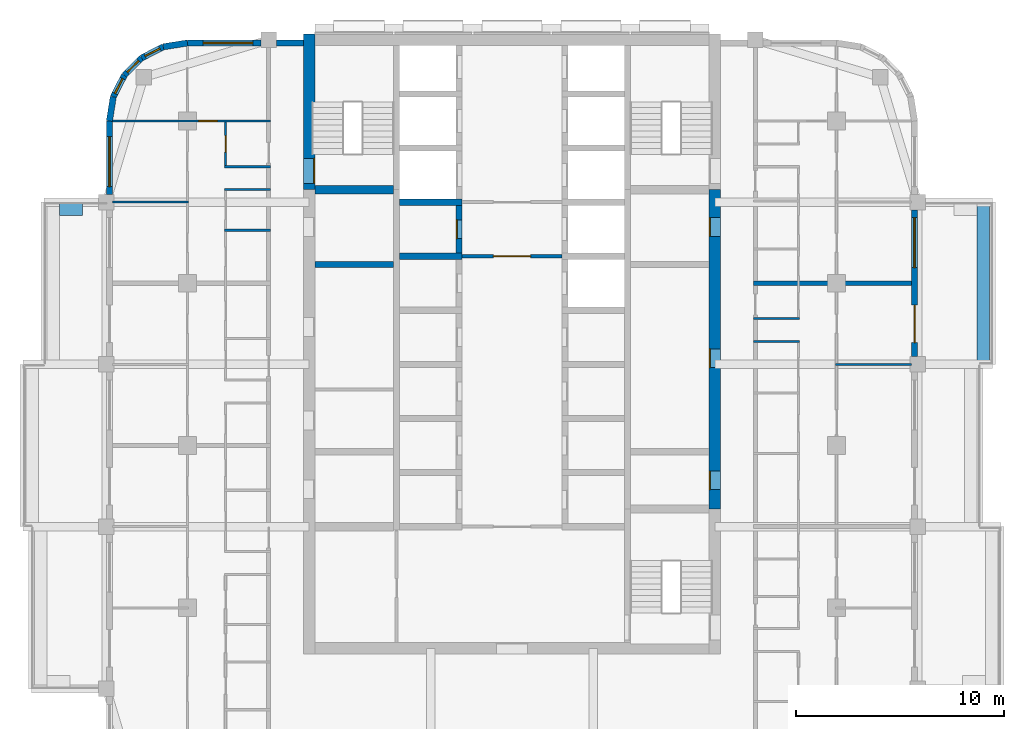
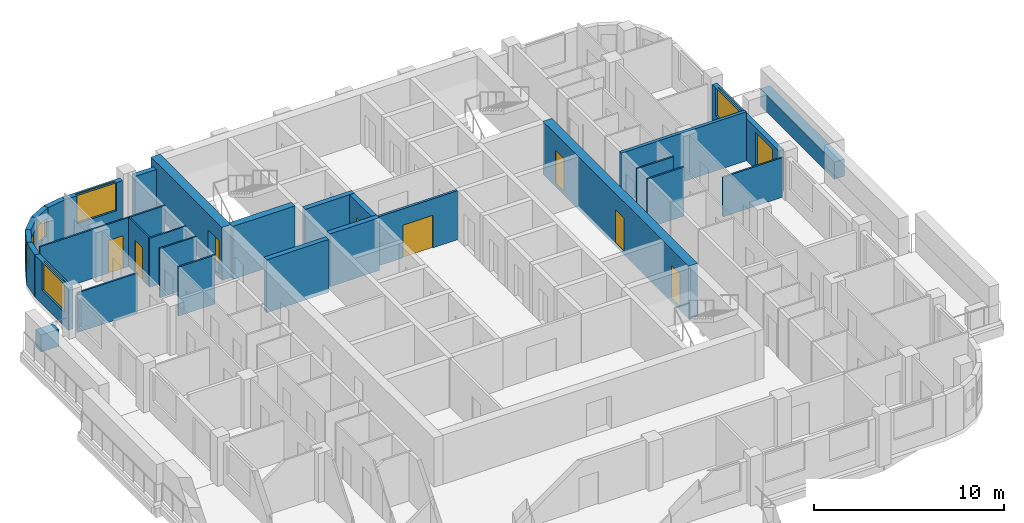
# One storey, part 7 of 14: 29 walls, 9 doors, 6 windows, 15 openings.
"""IFC4 building model written with IfcOpenShell, lengths in metres."""

from ifc_helpers import new_model, si_unit, direction, frame, frame_2d, origin, place, context, subcontext, project, spatial, rectangle, extrude, material, layer, layer_set, type_object, element, fill, save


model = new_model("IFC4")

# Units and contexts
model_context = context("Model", 3, precision=1e-05, world=origin(), true_north=direction((0.0, 1.0)))
body_context = subcontext(model_context, "Body", "Model", "MODEL_VIEW")
ifc_project = project(units=[si_unit("LENGTHUNIT", "METRE"), si_unit("AREAUNIT", "SQUARE_METRE"), si_unit("VOLUMEUNIT", "CUBIC_METRE"), si_unit("PLANEANGLEUNIT", "RADIAN"), si_unit("MASSUNIT", "GRAM", prefix="KILO")], contexts=[model_context])

# Site, building, storey
site_placement = place(None, origin())
site = spatial("IfcSite", under=ifc_project, at=site_placement, CompositionType="ELEMENT")
building_placement = place(site_placement, origin())
building = spatial("IfcBuilding", under=site, at=building_placement, Name="Ludao Terraces", CompositionType="ELEMENT")
storey_placement = place(building_placement, frame((0.0, 0.0, 182.60009765625)))
storey = spatial("IfcBuildingStorey", under=building, at=storey_placement, Name="L49", CompositionType="ELEMENT", Elevation=182.60009765625)

# Wall, opening, door
ifc_material_1 = material(Name="Concrete C60", Category="concrete")
ifc_layer_1 = layer(ifc_material_1, 0.550048828125)
ifc_layer_set_1 = layer_set([ifc_layer_1], Name="Core wall 550 C60")
wall_type_1 = type_object("IfcWallType", Name="Core wall 550 C60", PredefinedType="SOLIDWALL", material=ifc_layer_set_1)
wall_1_placement = place(storey_placement, frame((75.25, 77.300048828125, -0.25), z_axis=(0.0, 0.0, 1.0), x_axis=(0.0, 1.0, 0.0)))
wall_1 = element("IfcWall", 1, at=wall_1_placement, inside=storey, type_object=wall_type_1, Name="Core wall L49 outer-W-S1", PredefinedType="SOLIDWALL", context=body_context, shape_type="SweptSolid", body=[
    extrude(rectangle(XDim=7.474853515625, YDim=0.550048828125, at=frame_2d((3.7373046875, 0.0))), origin(), (0.0, 0.0, 1.0), 3.39990234375),
])
opening_1_placement = place(wall_1_placement, frame((0.300048828125, 0.0, 0.25)))
opening_1 = element("IfcOpeningElement", 2, at=opening_1_placement, cuts=wall_1, Name="Opening R17-075", PredefinedType="OPENING", context=body_context, shape_type="SweptSolid", body=[
    extrude(rectangle(XDim=1.199951171875, YDim=2.10009765625, at=frame_2d((0.60009765625, 1.050048828125))), frame((0.0, 0.28515625, 0.0), z_axis=(0.0, -1.0, 0.0), x_axis=(1.0, 0.0, 0.0)), (0.0, 0.0, 1.0), 0.570068359375),
])
ifc_material_2 = material(Name="Steel Q235", Category="steel")
door_type_1 = type_object("IfcDoorType", Name="INT Stair door 1200", OperationType="DOUBLE_DOOR_SINGLE_SWING", PredefinedType="DOOR", material=ifc_material_2)
door_1_placement = place(opening_1_placement, origin())
door_1 = element("IfcDoor", 3, at=door_1_placement, inside=storey, type_object=door_type_1, Name="DOOR 075", OperationType="DOUBLE_DOOR_SINGLE_SWING", OverallHeight=2.10009765625, OverallWidth=1.199951171875, PredefinedType="DOOR", context=body_context, shape_type="SweptSolid", body=[
    extrude(rectangle(XDim=1.199951171875, YDim=2.10009765625, at=frame_2d((0.60009765625, 1.050048828125))), frame((0.0, -0.2099609375, 0.0), z_axis=(0.0, -1.0, 0.0), x_axis=(1.0, 0.0, 0.0)), (0.0, 0.0, 1.0), 0.050048828125),
])
fill(opening_1, door_1)

# Wall, openings, doors
wall_2_placement = place(storey_placement, frame((94.75, 61.949951171875, -0.25), z_axis=(0.0, 0.0, 1.0), x_axis=(0.0, 1.0, 0.0)))
wall_2 = element("IfcWall", 4, at=wall_2_placement, inside=storey, type_object=wall_type_1, Name="Core wall L49 outer-E", PredefinedType="SOLIDWALL", context=body_context, shape_type="SweptSolid", body=[
    extrude(rectangle(XDim=15.35009765625, YDim=0.550048828125, at=frame_2d((7.675048828125, 0.0))), origin(), (0.0, 0.0, 1.0), 3.39990234375),
])
opening_2_placement = place(wall_2_placement, frame((0.925048828125, 0.0, 0.25)))
opening_2 = element("IfcOpeningElement", 5, at=opening_2_placement, cuts=wall_2, Name="Opening R17-034", PredefinedType="OPENING", context=body_context, shape_type="SweptSolid", body=[
    extrude(rectangle(XDim=0.89990234375, YDim=2.10009765625, at=frame_2d((0.449951171875, 1.050048828125))), frame((0.0, 0.28515625, 0.0), z_axis=(0.0, -1.0, 0.0), x_axis=(1.0, 0.0, 0.0)), (0.0, 0.0, 1.0), 0.570068359375),
])
opening_3_placement = place(wall_2_placement, frame((6.800048828125, 0.0, 0.25)))
opening_3 = element("IfcOpeningElement", 6, at=opening_3_placement, cuts=wall_2, Name="Opening R17-048", PredefinedType="OPENING", context=body_context, shape_type="SweptSolid", body=[
    extrude(rectangle(XDim=0.89990234375, YDim=2.10009765625, at=frame_2d((0.449951171875, 1.050048828125))), frame((0.0, 0.28515625, 0.0), z_axis=(0.0, -1.0, 0.0), x_axis=(1.0, 0.0, 0.0)), (0.0, 0.0, 1.0), 0.570068359375),
])
opening_4_placement = place(wall_2_placement, frame((13.10009765625, 0.0, 0.25)))
opening_4 = element("IfcOpeningElement", 7, at=opening_4_placement, cuts=wall_2, Name="Opening R17-067", PredefinedType="OPENING", context=body_context, shape_type="SweptSolid", body=[
    extrude(rectangle(XDim=0.89990234375, YDim=2.10009765625, at=frame_2d((0.449951171875, 1.050048828125))), frame((0.0, 0.28515625, 0.0), z_axis=(0.0, -1.0, 0.0), x_axis=(1.0, 0.0, 0.0)), (0.0, 0.0, 1.0), 0.570068359375),
])
door_type_2 = type_object("IfcDoorType", Name="INT Riser door 900", OperationType="SINGLE_SWING_LEFT", PredefinedType="DOOR", material=ifc_material_2)
door_2_placement = place(opening_2_placement, origin())
door_2 = element("IfcDoor", 8, at=door_2_placement, inside=storey, type_object=door_type_2, Name="DOOR 034", OperationType="SINGLE_SWING_LEFT", OverallHeight=2.10009765625, OverallWidth=0.89990234375, PredefinedType="DOOR", context=body_context, shape_type="SweptSolid", body=[
    extrude(rectangle(XDim=0.89990234375, YDim=2.10009765625, at=frame_2d((0.449951171875, 1.050048828125))), frame((0.0, 0.26025390625, 0.0), z_axis=(0.0, -1.0, 0.0), x_axis=(1.0, 0.0, 0.0)), (0.0, 0.0, 1.0), 0.050048828125),
])
fill(opening_2, door_2)
door_3_placement = place(opening_4_placement, origin())
door_3 = element("IfcDoor", 9, at=door_3_placement, inside=storey, type_object=door_type_2, Name="DOOR 067", OperationType="SINGLE_SWING_LEFT", OverallHeight=2.10009765625, OverallWidth=0.89990234375, PredefinedType="DOOR", context=body_context, shape_type="SweptSolid", body=[
    extrude(rectangle(XDim=0.89990234375, YDim=2.10009765625, at=frame_2d((0.449951171875, 1.050048828125))), frame((0.0, 0.26025390625, 0.0), z_axis=(0.0, -1.0, 0.0), x_axis=(1.0, 0.0, 0.0)), (0.0, 0.0, 1.0), 0.050048828125),
])
fill(opening_4, door_3)
ifc_material_3 = material(Name="Timber door leaf", Category="wood")
door_type_3 = type_object("IfcDoorType", Name="INT Room door 900", OperationType="SINGLE_SWING_LEFT", PredefinedType="DOOR", material=ifc_material_3)
door_4_placement = place(opening_3_placement, origin())
door_4 = element("IfcDoor", 10, at=door_4_placement, inside=storey, type_object=door_type_3, Name="DOOR 048", OperationType="SINGLE_SWING_LEFT", OverallHeight=2.10009765625, OverallWidth=0.89990234375, PredefinedType="DOOR", context=body_context, shape_type="SweptSolid", body=[
    extrude(rectangle(XDim=0.89990234375, YDim=2.10009765625, at=frame_2d((0.449951171875, 1.050048828125))), frame((0.0, 0.26025390625, 0.0), z_axis=(0.0, -1.0, 0.0), x_axis=(1.0, 0.0, 0.0)), (0.0, 0.0, 1.0), 0.050048828125),
])
fill(opening_3, door_4)

# Walls
ifc_material_4 = material(Name="Concrete C40", Category="concrete")
ifc_layer_2 = layer(ifc_material_4, 0.60009765625)
ifc_layer_set_2 = layer_set([ifc_layer_2], Name="ENV Planter trough 600")
wall_type_2 = type_object("IfcWallType", Name="ENV Planter trough 600", PredefinedType="USERDEFINED", material=ifc_layer_set_2)
wall_3_placement = place(storey_placement, frame((107.64990234375, 68.89990234375, 0.0), z_axis=(0.0, 0.0, 1.0), x_axis=(0.0, 1.0, 0.0)))
element("IfcWall", 11, at=wall_3_placement, inside=storey, type_object=wall_type_2, Name="PL-L49-E3", ObjectType="PLANTER", PredefinedType="USERDEFINED", context=body_context, shape_type="SweptSolid", body=[
    extrude(rectangle(XDim=7.800048828125, YDim=0.60009765625, at=frame_2d((3.89990234375, 0.0))), origin(), (0.0, 0.0, 1.0), 1.099853515625),
])
wall_4_placement = place(storey_placement, frame((63.25, 76.35009765625, 0.0), z_axis=(0.0, 0.0, 1.0), x_axis=(1.0, 0.0, 0.0)))
element("IfcWall", 12, at=wall_4_placement, inside=storey, type_object=wall_type_2, Name="PL-L49-W3-SB", ObjectType="PLANTER", PredefinedType="USERDEFINED", context=body_context, shape_type="SweptSolid", body=[
    extrude(rectangle(XDim=1.10009765625, YDim=0.60009765625, at=frame_2d((0.550048828125, 0.0))), origin(), (0.0, 0.0, 1.0), 1.099853515625),
])

# Wall, openings, door, window
ifc_material_5 = material(Name="Granite cladding", Category="masonry")
ifc_layer_3 = layer(ifc_material_5, 0.0400390625, Category="stone")
ifc_material_6 = material(Name="Mineral wool")
ifc_layer_4 = layer(ifc_material_6, 0.06005859375)
ifc_layer_5 = layer(ifc_material_4, 0.199951171875, Category="concrete")
ifc_layer_set_3 = layer_set([ifc_layer_3, ifc_layer_4, ifc_layer_5], Name="ENV Stone-clad wall 300")
wall_type_3 = type_object("IfcWallType", Name="ENV Stone-clad wall 300", PredefinedType="SOLIDWALL", material=ifc_layer_set_3)
wall_5_placement = place(storey_placement, frame((104.35009765625, 69.27490234375, 0.0), z_axis=(0.0, 0.0, 1.0), x_axis=(0.0, 1.0, 0.0)))
wall_5 = element("IfcWall", 13, at=wall_5_placement, inside=storey, type_object=wall_type_3, Name="EW-L49-E4", PredefinedType="SOLIDWALL", context=body_context, shape_type="SweptSolid", body=[
    extrude(rectangle(XDim=7.050048828125, YDim=0.300048828125, at=frame_2d((3.52490234375, 0.0))), origin(), (0.0, 0.0, 1.0), 2.699951171875),
])
opening_5_placement = place(wall_5_placement, frame((0.675048828125, 0.0, 0.0)))
opening_5 = element("IfcOpeningElement", 14, at=opening_5_placement, cuts=wall_5, Name="Opening BD", PredefinedType="OPENING", context=body_context, shape_type="SweptSolid", body=[
    extrude(rectangle(XDim=1.800048828125, YDim=2.39990234375, at=frame_2d((0.89990234375, 1.199951171875))), frame((0.0, 0.16015625, 0.0), z_axis=(0.0, -1.0, 0.0), x_axis=(1.0, 0.0, 0.0)), (0.0, 0.0, 1.0), 0.320068359375),
])
opening_6_placement = place(wall_5_placement, frame((4.27490234375, 0.0, 0.89990234375)))
opening_6 = element("IfcOpeningElement", 15, at=opening_6_placement, cuts=wall_5, Name="Opening W1", PredefinedType="OPENING", context=body_context, shape_type="SweptSolid", body=[
    extrude(rectangle(XDim=2.39990234375, YDim=1.800048828125, at=frame_2d((1.199951171875, 0.89990234375))), frame((0.0, 0.16015625, 0.0), z_axis=(0.0, -1.0, 0.0), x_axis=(1.0, 0.0, 0.0)), (0.0, 0.0, 1.0), 0.320068359375),
])
ifc_material_7 = material(Name="Aluminium glazed door", Category="aluminium")
ifc_layer_6 = layer(ifc_material_7, 0.06005859375)
ifc_layer_set_4 = layer_set([ifc_layer_6], Name="ENV Balcony door BD 1800x2400")
door_type_4 = type_object("IfcDoorType", Name="ENV Balcony door BD 1800x2400", OperationType="DOUBLE_DOOR_SINGLE_SWING", PredefinedType="DOOR", material=ifc_layer_set_4)
door_5_placement = place(opening_5_placement, origin())
door_5 = element("IfcDoor", 16, at=door_5_placement, inside=storey, type_object=door_type_4, Name="BD-L49-E4-1", OperationType="DOUBLE_DOOR_SINGLE_SWING", OverallHeight=2.39990234375, OverallWidth=1.800048828125, PredefinedType="DOOR", context=body_context, shape_type="SweptSolid", body=[
    extrude(rectangle(XDim=1.800048828125, YDim=2.39990234375, at=frame_2d((0.89990234375, 1.199951171875))), frame((0.0, 0.02490234375, 0.0), z_axis=(0.0, -1.0, 0.0), x_axis=(1.0, 0.0, 0.0)), (0.0, 0.0, 1.0), 0.050048828125),
])
fill(opening_5, door_5)
ifc_material_8 = material(Name="Clear glass in aluminium frame", Category="aluminium")
ifc_layer_7 = layer(ifc_material_8, 0.06005859375)
ifc_layer_set_5 = layer_set([ifc_layer_7], Name="ENV Window W1 2400x1800")
window_type_1 = type_object("IfcWindowType", Name="ENV Window W1 2400x1800", PartitioningType="DOUBLE_PANEL_VERTICAL", PredefinedType="WINDOW", material=ifc_layer_set_5)
window_1_placement = place(opening_6_placement, origin())
window_1 = element("IfcWindow", 17, at=window_1_placement, inside=storey, type_object=window_type_1, Name="W-L49-E4-2", OverallHeight=1.800048828125, OverallWidth=2.39990234375, PartitioningType="DOUBLE_PANEL_VERTICAL", PredefinedType="WINDOW", context=body_context, shape_type="SweptSolid", body=[
    extrude(rectangle(XDim=2.39990234375, YDim=1.800048828125, at=frame_2d((1.199951171875, 0.89990234375))), frame((0.0, 0.030029296875, 0.0), z_axis=(0.0, -1.0, 0.0), x_axis=(1.0, 0.0, 0.0)), (0.0, 0.0, 1.0), 0.06005859375),
])
fill(opening_6, window_1)

# Wall, opening, window
wall_6_placement = place(storey_placement, frame((69.39990234375, 84.35009765625, 0.0), z_axis=(0.0, 0.0, 1.0), x_axis=(1.0, 0.0, 0.0)))
wall_6 = element("IfcWall", 18, at=wall_6_placement, inside=storey, type_object=wall_type_3, Name="EW-L49-N1", PredefinedType="SOLIDWALL", context=body_context, shape_type="SweptSolid", body=[
    extrude(rectangle(XDim=3.525146484375, YDim=0.300048828125, at=frame_2d((1.7626953125, 0.0))), origin(), (0.0, 0.0, 1.0), 2.699951171875),
])
opening_7_placement = place(wall_6_placement, frame((0.75, 0.0, 0.89990234375)))
opening_7 = element("IfcOpeningElement", 19, at=opening_7_placement, cuts=wall_6, Name="Opening W1", PredefinedType="OPENING", context=body_context, shape_type="SweptSolid", body=[
    extrude(rectangle(XDim=2.39990234375, YDim=1.800048828125, at=frame_2d((1.199951171875, 0.89990234375))), frame((0.0, 0.16015625, 0.0), z_axis=(0.0, -1.0, 0.0), x_axis=(1.0, 0.0, 0.0)), (0.0, 0.0, 1.0), 0.320068359375),
])
window_2_placement = place(opening_7_placement, origin())
window_2 = element("IfcWindow", 20, at=window_2_placement, inside=storey, type_object=window_type_1, Name="W-L49-N1-1", OverallHeight=1.800048828125, OverallWidth=2.39990234375, PartitioningType="DOUBLE_PANEL_VERTICAL", PredefinedType="WINDOW", context=body_context, shape_type="SweptSolid", body=[
    extrude(rectangle(XDim=2.39990234375, YDim=1.800048828125, at=frame_2d((1.199951171875, 0.89990234375))), frame((0.0, 0.030029296875, 0.0), z_axis=(0.0, -1.0, 0.0), x_axis=(1.0, 0.0, 0.0)), (0.0, 0.0, 1.0), 0.06005859375),
])
fill(opening_7, window_2)

# Wall
wall_7_placement = place(storey_placement, frame((73.675048828125, 84.35009765625, 0.0), z_axis=(0.0, 0.0, 1.0), x_axis=(1.0, 0.0, 0.0)))
element("IfcWall", 21, at=wall_7_placement, inside=storey, type_object=wall_type_3, Name="EW-L49-N2", PredefinedType="SOLIDWALL", context=body_context, shape_type="SweptSolid", body=[
    extrude(rectangle(XDim=1.300048828125, YDim=0.300048828125, at=frame_2d((0.64990234375, 0.0))), origin(), (0.0, 0.0, 1.0), 2.699951171875),
])

# Wall, opening, window
wall_8_placement = place(storey_placement, frame((65.64990234375, 77.074951171875, 0.0), z_axis=(0.0, 0.0, 1.0), x_axis=(0.0, 1.0, 0.0)))
wall_8 = element("IfcWall", 22, at=wall_8_placement, inside=storey, type_object=wall_type_3, Name="EW-L49-W5", PredefinedType="SOLIDWALL", context=body_context, shape_type="SweptSolid", body=[
    extrude(rectangle(XDim=3.525146484375, YDim=0.300048828125, at=frame_2d((1.7626953125, 0.0))), origin(), (0.0, 0.0, 1.0), 2.699951171875),
])
opening_8_placement = place(wall_8_placement, frame((0.375, 0.0, 0.89990234375)))
opening_8 = element("IfcOpeningElement", 23, at=opening_8_placement, cuts=wall_8, Name="Opening W1", PredefinedType="OPENING", context=body_context, shape_type="SweptSolid", body=[
    extrude(rectangle(XDim=2.39990234375, YDim=1.800048828125, at=frame_2d((1.199951171875, 0.89990234375))), frame((0.0, 0.16015625, 0.0), z_axis=(0.0, -1.0, 0.0), x_axis=(1.0, 0.0, 0.0)), (0.0, 0.0, 1.0), 0.320068359375),
])
window_3_placement = place(opening_8_placement, origin())
window_3 = element("IfcWindow", 24, at=window_3_placement, inside=storey, type_object=window_type_1, Name="W-L49-W5-1", OverallHeight=1.800048828125, OverallWidth=2.39990234375, PartitioningType="DOUBLE_PANEL_VERTICAL", PredefinedType="WINDOW", context=body_context, shape_type="SweptSolid", body=[
    extrude(rectangle(XDim=2.39990234375, YDim=1.800048828125, at=frame_2d((1.199951171875, 0.89990234375))), frame((0.0, 0.030029296875, 0.0), z_axis=(0.0, -1.0, 0.0), x_axis=(1.0, 0.0, 0.0)), (0.0, 0.0, 1.0), 0.06005859375),
])
fill(opening_8, window_3)

# Wall
wall_9_placement = place(storey_placement, frame((69.39990234375, 84.35009765625, 0.0), z_axis=(0.0, 0.0, 1.0), x_axis=(-0.987678452879, -0.156496880861, 0.0)))
element("IfcWall", 25, at=wall_9_placement, inside=storey, type_object=wall_type_3, Name="EW-L49-NW1", PredefinedType="SOLIDWALL", context=body_context, shape_type="SweptSolid", body=[
    extrude(rectangle(XDim=1.173095703125, YDim=0.300048828125, at=frame_2d((0.58642578125, 0.0))), origin(), (0.0, 0.0, 1.0), 2.699951171875),
])

# Wall, opening, window
wall_10_placement = place(storey_placement, frame((68.2412109375, 84.16650390625, 0.0), z_axis=(0.0, 0.0, 1.0), x_axis=(-0.890988677504, -0.454025524128, 0.0)))
wall_10 = element("IfcWall", 26, at=wall_10_placement, inside=storey, type_object=wall_type_3, Name="EW-L49-NW2", PredefinedType="SOLIDWALL", context=body_context, shape_type="SweptSolid", body=[
    extrude(rectangle(XDim=1.17333984375, YDim=0.300048828125, at=frame_2d((0.586669921875, 0.0))), origin(), (0.0, 0.0, 1.0), 2.699951171875),
])
opening_9_placement = place(wall_10_placement, frame((0.1865234375, 0.0, 0.89990234375)))
opening_9 = element("IfcOpeningElement", 27, at=opening_9_placement, cuts=wall_10, Name="Opening W3", PredefinedType="OPENING", context=body_context, shape_type="SweptSolid", body=[
    extrude(rectangle(XDim=0.800048828125, YDim=1.199951171875, at=frame_2d((0.39990234375, 0.60009765625))), frame((0.0, 0.16015625, 0.0), z_axis=(0.0, -1.0, 0.0), x_axis=(1.0, 0.0, 0.0)), (0.0, 0.0, 1.0), 0.320068359375),
])
ifc_layer_8 = layer(ifc_material_8, 0.06005859375)
ifc_layer_set_6 = layer_set([ifc_layer_8], Name="ENV Window W3 800x1200")
window_type_2 = type_object("IfcWindowType", Name="ENV Window W3 800x1200", PartitioningType="SINGLE_PANEL", PredefinedType="WINDOW", material=ifc_layer_set_6)
window_4_placement = place(opening_9_placement, origin())
window_4 = element("IfcWindow", 28, at=window_4_placement, inside=storey, type_object=window_type_2, Name="W-L49-NW2", OverallHeight=1.199951171875, OverallWidth=0.800048828125, PartitioningType="SINGLE_PANEL", PredefinedType="WINDOW", context=body_context, shape_type="SweptSolid", body=[
    extrude(rectangle(XDim=0.800048828125, YDim=1.199951171875, at=frame_2d((0.39990234375, 0.60009765625))), frame((0.0, 0.030029296875, 0.0), z_axis=(0.0, -1.0, 0.0), x_axis=(1.0, 0.0, 0.0)), (0.0, 0.0, 1.0), 0.06005859375),
])
fill(opening_9, window_4)

wall_11_placement = place(storey_placement, frame((67.19580078125, 83.6337890625, 0.0), z_axis=(0.0, 0.0, 1.0), x_axis=(-0.707106781187, -0.707106781187, 0.0)))
wall_11 = element("IfcWall", 29, at=wall_11_placement, inside=storey, type_object=wall_type_3, Name="EW-L49-NW3", PredefinedType="SOLIDWALL", context=body_context, shape_type="SweptSolid", body=[
    extrude(rectangle(XDim=1.173095703125, YDim=0.300048828125, at=frame_2d((0.58642578125, 0.0))), origin(), (0.0, 0.0, 1.0), 2.699951171875),
])
opening_10_placement = place(wall_11_placement, frame((0.1865234375, 0.0, 0.89990234375)))
opening_10 = element("IfcOpeningElement", 30, at=opening_10_placement, cuts=wall_11, Name="Opening W3", PredefinedType="OPENING", context=body_context, shape_type="SweptSolid", body=[
    extrude(rectangle(XDim=0.800048828125, YDim=1.199951171875, at=frame_2d((0.39990234375, 0.60009765625))), frame((0.0, 0.16015625, 0.0), z_axis=(0.0, -1.0, 0.0), x_axis=(1.0, 0.0, 0.0)), (0.0, 0.0, 1.0), 0.320068359375),
])
window_5_placement = place(opening_10_placement, origin())
window_5 = element("IfcWindow", 31, at=window_5_placement, inside=storey, type_object=window_type_2, Name="W-L49-NW3", OverallHeight=1.199951171875, OverallWidth=0.800048828125, PartitioningType="SINGLE_PANEL", PredefinedType="WINDOW", context=body_context, shape_type="SweptSolid", body=[
    extrude(rectangle(XDim=0.800048828125, YDim=1.199951171875, at=frame_2d((0.39990234375, 0.60009765625))), frame((0.0, 0.030029296875, 0.0), z_axis=(0.0, -1.0, 0.0), x_axis=(1.0, 0.0, 0.0)), (0.0, 0.0, 1.0), 0.06005859375),
])
fill(opening_10, window_5)

wall_12_placement = place(storey_placement, frame((66.3662109375, 82.80419921875, 0.0), z_axis=(0.0, 0.0, 1.0), x_axis=(-0.454025524128, -0.890988677504, 0.0)))
wall_12 = element("IfcWall", 32, at=wall_12_placement, inside=storey, type_object=wall_type_3, Name="EW-L49-NW4", PredefinedType="SOLIDWALL", context=body_context, shape_type="SweptSolid", body=[
    extrude(rectangle(XDim=1.17333984375, YDim=0.300048828125, at=frame_2d((0.586669921875, 0.0))), origin(), (0.0, 0.0, 1.0), 2.699951171875),
])
opening_11_placement = place(wall_12_placement, frame((0.1865234375, 0.0, 0.89990234375)))
opening_11 = element("IfcOpeningElement", 33, at=opening_11_placement, cuts=wall_12, Name="Opening W3", PredefinedType="OPENING", context=body_context, shape_type="SweptSolid", body=[
    extrude(rectangle(XDim=0.800048828125, YDim=1.199951171875, at=frame_2d((0.39990234375, 0.60009765625))), frame((0.0, 0.16015625, 0.0), z_axis=(0.0, -1.0, 0.0), x_axis=(1.0, 0.0, 0.0)), (0.0, 0.0, 1.0), 0.320068359375),
])
window_6_placement = place(opening_11_placement, origin())
window_6 = element("IfcWindow", 34, at=window_6_placement, inside=storey, type_object=window_type_2, Name="W-L49-NW4", OverallHeight=1.199951171875, OverallWidth=0.800048828125, PartitioningType="SINGLE_PANEL", PredefinedType="WINDOW", context=body_context, shape_type="SweptSolid", body=[
    extrude(rectangle(XDim=0.800048828125, YDim=1.199951171875, at=frame_2d((0.39990234375, 0.60009765625))), frame((0.0, 0.030029296875, 0.0), z_axis=(0.0, -1.0, 0.0), x_axis=(1.0, 0.0, 0.0)), (0.0, 0.0, 1.0), 0.06005859375),
])
fill(opening_11, window_6)

# Wall
wall_13_placement = place(storey_placement, frame((65.83349609375, 81.7587890625, 0.0), z_axis=(0.0, 0.0, 1.0), x_axis=(-0.156496880861, -0.987678452879, 0.0)))
element("IfcWall", 35, at=wall_13_placement, inside=storey, type_object=wall_type_3, Name="EW-L49-NW5", PredefinedType="SOLIDWALL", context=body_context, shape_type="SweptSolid", body=[
    extrude(rectangle(XDim=1.173095703125, YDim=0.300048828125, at=frame_2d((0.58642578125, 0.0))), origin(), (0.0, 0.0, 1.0), 2.699951171875),
])

# Wall, opening, door
ifc_material_9 = material(Name="Fire-rated gypsum plasterboard", Category="gypsum")
ifc_layer_9 = layer(ifc_material_9, 0.012451171875, Category="gypsum")
ifc_layer_10 = layer(ifc_material_6, 0.10009765625, Name="insulation")
ifc_layer_11 = layer(ifc_material_2, 0.02490234375, Name="stud")
ifc_layer_12 = layer(ifc_material_9, 0.012451171875, Category="gypsum")
ifc_layer_set_7 = layer_set([ifc_layer_9, ifc_layer_10, ifc_layer_11, ifc_layer_12], Name="INT Core partition 150")
wall_type_4 = type_object("IfcWallType", Name="INT Core partition 150", PredefinedType="PARTITIONING", material=ifc_layer_set_7)
wall_14_placement = place(storey_placement, frame((82.60009765625, 74.10009765625, 0.0), z_axis=(0.0, 0.0, 1.0), x_axis=(1.0, 0.0, 0.0)))
wall_14 = element("IfcWall", 36, at=wall_14_placement, inside=storey, type_object=wall_type_4, Name="PW-L49-PW033", PredefinedType="PARTITIONING", context=body_context, shape_type="SweptSolid", body=[
    extrude(rectangle(XDim=4.800048828125, YDim=0.14990234375, at=frame_2d((2.39990234375, 0.0))), origin(), (0.0, 0.0, 1.0), 3.14990234375),
])
opening_12_placement = place(wall_14_placement, frame((1.5, 0.0, 0.0)))
opening_12 = element("IfcOpeningElement", 37, at=opening_12_placement, cuts=wall_14, Name="Opening R17-061", PredefinedType="OPENING", context=body_context, shape_type="SweptSolid", body=[
    extrude(rectangle(XDim=1.800048828125, YDim=2.10009765625, at=frame_2d((0.89990234375, 1.050048828125))), frame((0.0, 0.0849609375, 0.0), z_axis=(0.0, -1.0, 0.0), x_axis=(1.0, 0.0, 0.0)), (0.0, 0.0, 1.0), 0.169921875),
])
door_type_5 = type_object("IfcDoorType", Name="INT Fire lobby door 1800", OperationType="DOUBLE_DOOR_SINGLE_SWING", PredefinedType="DOOR", material=ifc_material_2)
door_6_placement = place(opening_12_placement, origin())
door_6 = element("IfcDoor", 38, at=door_6_placement, inside=storey, type_object=door_type_5, Name="DOOR 061", OperationType="DOUBLE_DOOR_SINGLE_SWING", OverallHeight=2.10009765625, OverallWidth=1.800048828125, PredefinedType="DOOR", context=body_context, shape_type="SweptSolid", body=[
    extrude(rectangle(XDim=1.800048828125, YDim=2.10009765625, at=frame_2d((0.89990234375, 1.050048828125))), frame((0.0, 0.02490234375, 0.0), z_axis=(0.0, -1.0, 0.0), x_axis=(1.0, 0.0, 0.0)), (0.0, 0.0, 1.0), 0.050048828125),
])
fill(opening_12, door_6)

# Walls
ifc_material_10 = material(Name="Gypsum plasterboard", Category="gypsum")
ifc_layer_13 = layer(ifc_material_10, 0.012451171875, Category="gypsum")
ifc_layer_14 = layer(ifc_material_6, 0.06005859375, Name="insulation")
ifc_layer_15 = layer(ifc_material_2, 0.014892578125, Name="stud")
ifc_layer_16 = layer(ifc_material_10, 0.012451171875, Category="gypsum")
ifc_layer_set_8 = layer_set([ifc_layer_13, ifc_layer_14, ifc_layer_15, ifc_layer_16], Name="INT Partition 100")
wall_type_5 = type_object("IfcWallType", Name="INT Partition 100", PredefinedType="PARTITIONING", material=ifc_layer_set_8)
wall_15_placement = place(storey_placement, frame((100.550048828125, 68.89990234375, 0.0), z_axis=(0.0, 0.0, 1.0), x_axis=(1.0, 0.0, 0.0)))
element("IfcWall", 39, at=wall_15_placement, inside=storey, type_object=wall_type_5, Name="PW-L49-PW027", PredefinedType="PARTITIONING", context=body_context, shape_type="SweptSolid", body=[
    extrude(rectangle(XDim=3.650146484375, YDim=0.10009765625, at=frame_2d((1.8251953125, 0.0))), origin(), (0.0, 0.0, 1.0), 2.5498046875),
])
for number, where, z_axis, x_axis, name in (
    (40, (96.60009765625, 70.0, 0.0), (0.0, 0.0, 1.0), (1.0, 0.0, 0.0), "PW-L49-PW028"),
    (41, (96.60009765625, 71.10009765625, 0.0), (0.0, 0.0, 1.0), (1.0, 0.0, 0.0), "PW-L49-PW030"),
    (42, (71.18017578125, 75.35009765625, 0.0), (0.0, 0.0, 1.0), (1.0, 0.0, 0.0), "PW-L49-PW035"),
):
    element("IfcWall", number, at=place(storey_placement, frame(where, z_axis=z_axis, x_axis=x_axis)), inside=storey, type_object=wall_type_5, Name=name, PredefinedType="PARTITIONING", context=body_context, shape_type="SweptSolid", body=[
        extrude(rectangle(XDim=2.219970703125, YDim=0.10009765625, at=frame_2d((1.10986328125, 0.0))), origin(), (0.0, 0.0, 1.0), 3.14990234375),
    ])
wall_16_placement = place(storey_placement, frame((65.800048828125, 76.699951171875, 0.0), z_axis=(0.0, 0.0, 1.0), x_axis=(1.0, 0.0, 0.0)))
element("IfcWall", 43, at=wall_16_placement, inside=storey, type_object=wall_type_5, Name="PW-L49-PW036", PredefinedType="PARTITIONING", context=body_context, shape_type="SweptSolid", body=[
    extrude(rectangle(XDim=3.650146484375, YDim=0.10009765625, at=frame_2d((1.8251953125, 0.0))), origin(), (0.0, 0.0, 1.0), 2.5498046875),
])
for number, where, z_axis, x_axis, name in (
    (44, (71.18017578125, 77.300048828125, 0.0), (0.0, 0.0, 1.0), (1.0, 0.0, 0.0), "PW-L49-PW040"),
    (45, (71.18017578125, 78.39990234375, 0.0), (0.0, 0.0, 1.0), (1.0, 0.0, 0.0), "PW-L49-PW041"),
):
    element("IfcWall", number, at=place(storey_placement, frame(where, z_axis=z_axis, x_axis=x_axis)), inside=storey, type_object=wall_type_5, Name=name, PredefinedType="PARTITIONING", context=body_context, shape_type="SweptSolid", body=[
        extrude(rectangle(XDim=2.219970703125, YDim=0.10009765625, at=frame_2d((1.10986328125, 0.0))), origin(), (0.0, 0.0, 1.0), 3.14990234375),
    ])

# Wall, opening, door
wall_17_placement = place(storey_placement, frame((65.800048828125, 80.60009765625, 0.0), z_axis=(0.0, 0.0, 1.0), x_axis=(1.0, 0.0, 0.0)))
wall_17 = element("IfcWall", 46, at=wall_17_placement, inside=storey, type_object=wall_type_5, Name="PW-L49-PW044", PredefinedType="PARTITIONING", context=body_context, shape_type="SweptSolid", body=[
    extrude(rectangle(XDim=7.60009765625, YDim=0.10009765625, at=frame_2d((3.800048828125, 0.0))), origin(), (0.0, 0.0, 1.0), 3.14990234375),
])
opening_13_placement = place(wall_17_placement, frame((4.139892578125, 0.0, 0.0)))
opening_13 = element("IfcOpeningElement", 47, at=opening_13_placement, cuts=wall_17, Name="Opening R17-082", PredefinedType="OPENING", context=body_context, shape_type="SweptSolid", body=[
    extrude(rectangle(XDim=0.89990234375, YDim=2.10009765625, at=frame_2d((0.449951171875, 1.050048828125))), frame((0.0, 0.06005859375, 0.0), z_axis=(0.0, -1.0, 0.0), x_axis=(1.0, 0.0, 0.0)), (0.0, 0.0, 1.0), 0.1201171875),
])
door_7_placement = place(opening_13_placement, origin())
door_7 = element("IfcDoor", 48, at=door_7_placement, inside=storey, type_object=door_type_3, Name="DOOR 082", OperationType="SINGLE_SWING_LEFT", OverallHeight=2.10009765625, OverallWidth=0.89990234375, PredefinedType="DOOR", context=body_context, shape_type="SweptSolid", body=[
    extrude(rectangle(XDim=0.89990234375, YDim=2.10009765625, at=frame_2d((0.449951171875, 1.050048828125))), frame((0.0, 0.02490234375, 0.0), z_axis=(0.0, -1.0, 0.0), x_axis=(1.0, 0.0, 0.0)), (0.0, 0.0, 1.0), 0.050048828125),
])
fill(opening_13, door_7)

wall_18_placement = place(storey_placement, frame((71.22998046875, 78.4501953125, 0.0), z_axis=(0.0, 0.0, 1.0), x_axis=(0.0, 1.0, 0.0)))
wall_18 = element("IfcWall", 49, at=wall_18_placement, inside=storey, type_object=wall_type_5, Name="PW-L49-PW050", PredefinedType="PARTITIONING", context=body_context, shape_type="SweptSolid", body=[
    extrude(rectangle(XDim=2.099853515625, YDim=0.10009765625, at=frame_2d((1.0498046875, 0.0))), origin(), (0.0, 0.0, 1.0), 3.14990234375),
])
opening_14_placement = place(wall_18_placement, frame((0.64990234375, 0.0, 0.0)))
opening_14 = element("IfcOpeningElement", 50, at=opening_14_placement, cuts=wall_18, Name="Opening R17-080", PredefinedType="OPENING", context=body_context, shape_type="SweptSolid", body=[
    extrude(rectangle(XDim=0.800048828125, YDim=2.10009765625, at=frame_2d((0.39990234375, 1.050048828125))), frame((0.0, 0.06005859375, 0.0), z_axis=(0.0, -1.0, 0.0), x_axis=(1.0, 0.0, 0.0)), (0.0, 0.0, 1.0), 0.1201171875),
])
door_type_6 = type_object("IfcDoorType", Name="INT Store door 800", OperationType="SINGLE_SWING_LEFT", PredefinedType="DOOR", material=ifc_material_3)
door_8_placement = place(opening_14_placement, origin())
door_8 = element("IfcDoor", 51, at=door_8_placement, inside=storey, type_object=door_type_6, Name="DOOR 080", OperationType="SINGLE_SWING_RIGHT", OverallHeight=2.10009765625, OverallWidth=0.800048828125, PredefinedType="DOOR", context=body_context, shape_type="SweptSolid", body=[
    extrude(rectangle(XDim=0.800048828125, YDim=2.10009765625, at=frame_2d((0.39990234375, 1.050048828125))), frame((0.0, 0.02490234375, 0.0), z_axis=(0.0, -1.0, 0.0), x_axis=(1.0, 0.0, 0.0)), (0.0, 0.0, 1.0), 0.050048828125),
])
fill(opening_14, door_8)

# Walls
ifc_material_11 = material(Name="Autoclaved aerated concrete block B06 A3.5", Category="concrete")
ifc_layer_17 = layer(ifc_material_11, 0.199951171875)
ifc_layer_set_9 = layer_set([ifc_layer_17], Name="INT Party wall 200")
wall_type_6 = type_object("IfcWallType", Name="INT Party wall 200", PredefinedType="PARTITIONING", material=ifc_layer_set_9)
wall_19_placement = place(storey_placement, frame((96.60009765625, 72.800048828125, 0.0), z_axis=(0.0, 0.0, 1.0), x_axis=(1.0, 0.0, 0.0)))
element("IfcWall", 52, at=wall_19_placement, inside=storey, type_object=wall_type_6, Name="PW-L49-PW032", PredefinedType="PARTITIONING", context=body_context, shape_type="SweptSolid", body=[
    extrude(rectangle(XDim=7.60009765625, YDim=0.199951171875, at=frame_2d((3.800048828125, 0.0))), origin(), (0.0, 0.0, 1.0), 3.14990234375),
])
ifc_material_12 = material(Name="Concrete C55", Category="concrete")
ifc_layer_18 = layer(ifc_material_12, 0.300048828125)
ifc_layer_set_10 = layer_set([ifc_layer_18], Name="Shaft wall 300 C55")
wall_type_7 = type_object("IfcWallType", Name="Shaft wall 300 C55", PredefinedType="SOLIDWALL", material=ifc_layer_set_10)
wall_20_placement = place(storey_placement, frame((79.60009765625, 74.10009765625, -0.25), z_axis=(0.0, 0.0, 1.0), x_axis=(1.0, 0.0, 0.0)))
element("IfcWall", 53, at=wall_20_placement, inside=storey, type_object=wall_type_7, Name="Core wall L49 div-W6", PredefinedType="SOLIDWALL", context=body_context, shape_type="SweptSolid", body=[
    extrude(rectangle(XDim=3.0, YDim=0.300048828125, at=frame_2d((1.5, 0.0))), origin(), (0.0, 0.0, 1.0), 3.39990234375),
])

# Wall, opening, door
wall_21_placement = place(storey_placement, frame((82.449951171875, 74.25, -0.25), z_axis=(0.0, 0.0, 1.0), x_axis=(0.0, 1.0, 0.0)))
wall_21 = element("IfcWall", 54, at=wall_21_placement, inside=storey, type_object=wall_type_7, Name="Core wall L49 front-W6", PredefinedType="SOLIDWALL", context=body_context, shape_type="SweptSolid", body=[
    extrude(rectangle(XDim=2.300048828125, YDim=0.300048828125, at=frame_2d((1.14990234375, 0.0))), origin(), (0.0, 0.0, 1.0), 3.39990234375),
])
opening_15_placement = place(wall_21_placement, frame((0.699951171875, 0.0, 0.25)))
opening_15 = element("IfcOpeningElement", 55, at=opening_15_placement, cuts=wall_21, Name="Opening R17-064", PredefinedType="OPENING", context=body_context, shape_type="SweptSolid", body=[
    extrude(rectangle(XDim=0.89990234375, YDim=2.10009765625, at=frame_2d((0.449951171875, 1.050048828125))), frame((0.0, 0.16015625, 0.0), z_axis=(0.0, -1.0, 0.0), x_axis=(1.0, 0.0, 0.0)), (0.0, 0.0, 1.0), 0.320068359375),
])
door_9_placement = place(opening_15_placement, origin())
door_9 = element("IfcDoor", 56, at=door_9_placement, inside=storey, type_object=door_type_3, Name="DOOR 064", OperationType="SINGLE_SWING_RIGHT", OverallHeight=2.10009765625, OverallWidth=0.89990234375, PredefinedType="DOOR", context=body_context, shape_type="SweptSolid", body=[
    extrude(rectangle(XDim=0.89990234375, YDim=2.10009765625, at=frame_2d((0.449951171875, 1.050048828125))), frame((0.0, 0.13525390625, 0.0), z_axis=(0.0, -1.0, 0.0), x_axis=(1.0, 0.0, 0.0)), (0.0, 0.0, 1.0), 0.050048828125),
])
fill(opening_15, door_9)

# Walls
wall_22_placement = place(storey_placement, frame((79.60009765625, 76.699951171875, -0.25), z_axis=(0.0, 0.0, 1.0), x_axis=(1.0, 0.0, 0.0)))
element("IfcWall", 57, at=wall_22_placement, inside=storey, type_object=wall_type_7, Name="Core wall L49 div-W7", PredefinedType="SOLIDWALL", context=body_context, shape_type="SweptSolid", body=[
    extrude(rectangle(XDim=3.0, YDim=0.300048828125, at=frame_2d((1.5, 0.0))), origin(), (0.0, 0.0, 1.0), 3.39990234375),
])
wall_23_placement = place(storey_placement, frame((75.52490234375, 73.699951171875, -0.25), z_axis=(0.0, 0.0, 1.0), x_axis=(1.0, 0.0, 0.0)))
element("IfcWall", 58, at=wall_23_placement, inside=storey, type_object=wall_type_7, Name="Core wall L49 riser-b-W", PredefinedType="SOLIDWALL", context=body_context, shape_type="SweptSolid", body=[
    extrude(rectangle(XDim=3.775146484375, YDim=0.300048828125, at=frame_2d((1.8876953125, 0.0))), origin(), (0.0, 0.0, 1.0), 3.39990234375),
])
ifc_layer_19 = layer(ifc_material_12, 0.39990234375)
ifc_layer_set_11 = layer_set([ifc_layer_19], Name="Shaft wall 400 C55")
wall_type_8 = type_object("IfcWallType", Name="Shaft wall 400 C55", PredefinedType="SOLIDWALL", material=ifc_layer_set_11)
wall_24_placement = place(storey_placement, frame((75.52490234375, 77.300048828125, -0.25), z_axis=(0.0, 0.0, 1.0), x_axis=(1.0, 0.0, 0.0)))
element("IfcWall", 59, at=wall_24_placement, inside=storey, type_object=wall_type_8, Name="Core wall L49 stair-W", PredefinedType="SOLIDWALL", context=body_context, shape_type="SweptSolid", body=[
    extrude(rectangle(XDim=3.775146484375, YDim=0.39990234375, at=frame_2d((1.8876953125, 0.0))), origin(), (0.0, 0.0, 1.0), 3.39990234375),
])

save(model, "model.ifc")
